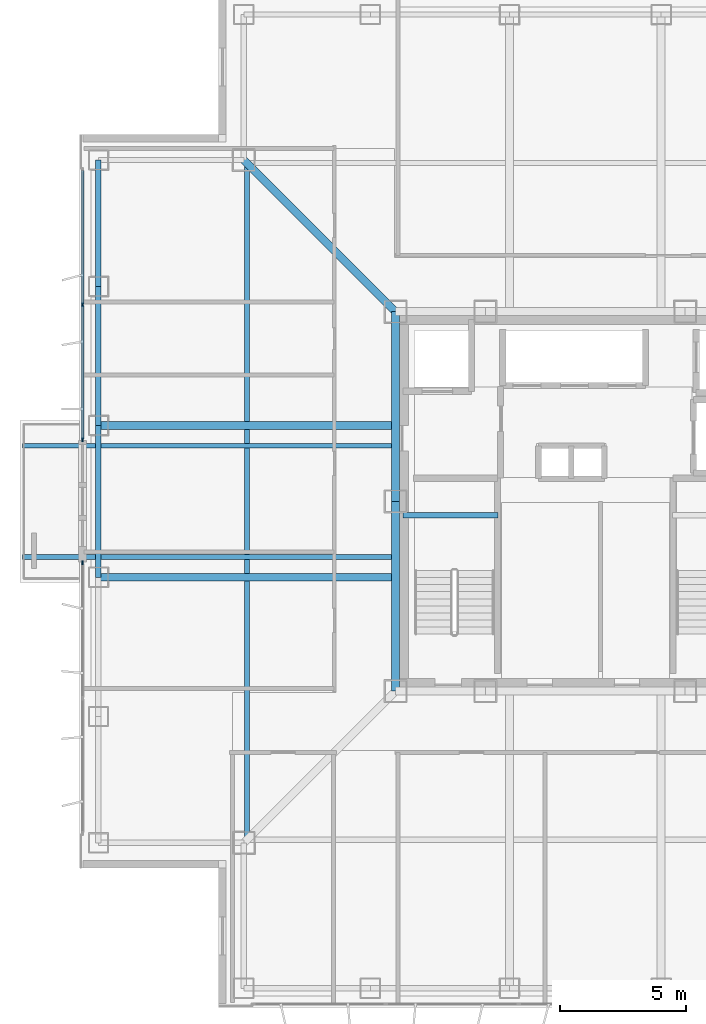
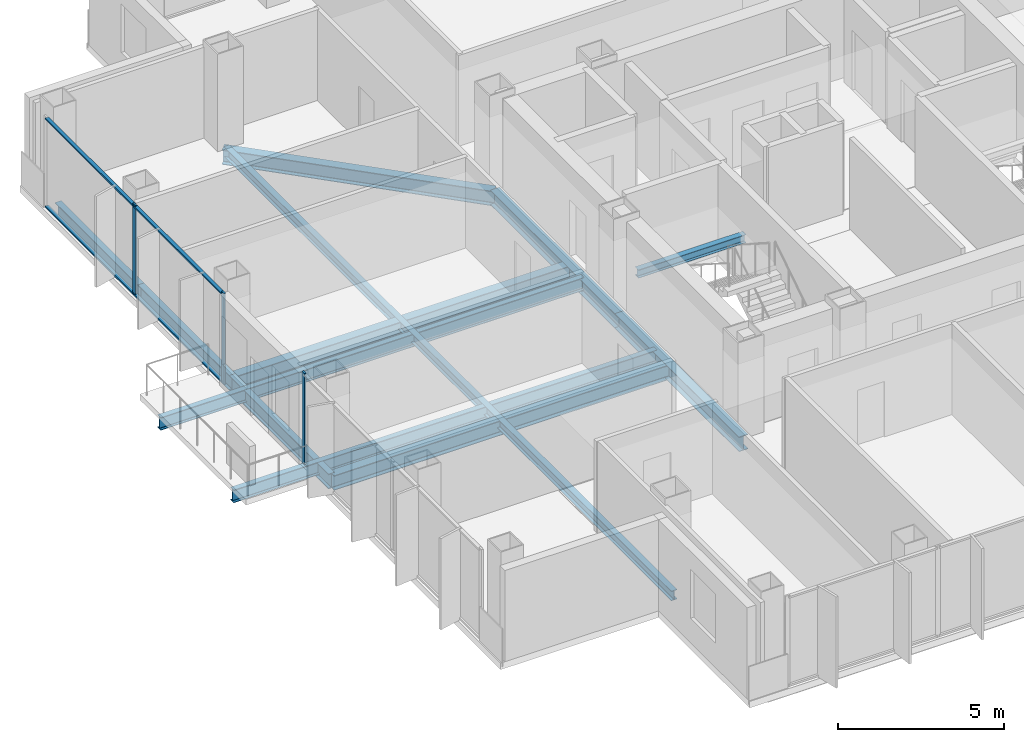
# One storey, part 4 of 15: 12 beams, 7 members, 2 elements without a shape of their own.
"""IFC4 building model written with IfcOpenShell, lengths in metres."""

from ifc_helpers import new_model, si_unit, direction, frame, origin, origin_2d, place, context, subcontext, project, spatial, rectangle, i_section, extrude, material, layer, layer_set, material_profile, profile_set, type_object, element, aggregate, save


model = new_model("IFC4")

# Units and contexts
model_context = context("Model", 3, precision=1e-05, world=origin(), true_north=direction((0.0, 1.0)))
body_context = subcontext(model_context, "Body", "Model", "MODEL_VIEW")
ifc_project = project(units=[si_unit("LENGTHUNIT", "METRE"), si_unit("AREAUNIT", "SQUARE_METRE"), si_unit("VOLUMEUNIT", "CUBIC_METRE"), si_unit("PLANEANGLEUNIT", "RADIAN"), si_unit("MASSUNIT", "GRAM", prefix="KILO")], contexts=[model_context])

# Site, building, storey
site_placement = place(None, origin())
site = spatial("IfcSite", under=ifc_project, at=site_placement, CompositionType="ELEMENT")
building_placement = place(site_placement, origin())
building = spatial("IfcBuilding", under=site, at=building_placement, Name="Trevonay Congress Spire", CompositionType="ELEMENT")
storey_placement = place(building_placement, frame((0.0, 0.0, 216.60009765625)))
storey = spatial("IfcBuildingStorey", under=building, at=storey_placement, Name="L56", CompositionType="ELEMENT", Elevation=216.60009765625)

# Beams
ifc_material_1 = material(Name="Steel ASTM A572 Grade 50", Category="steel")
ifc_material_profile_1 = material_profile(ifc_material_1, i_section(OverallWidth=0.194091796875, OverallDepth=0.468994140625, WebThickness=0.011474609375, FlangeThickness=0.01953125, FilletRadius=0.013916015625, at=origin_2d()), Name="W460x106")
ifc_profile_set_1 = profile_set([ifc_material_profile_1], Name="Steel ASTM A572 Grade 50")
beam_type_1 = type_object("IfcBeamType", Name="BM-BAL-LOOKOUT", PredefinedType="BEAM", material=ifc_profile_set_1)
for number, where, z_axis, x_axis, name in (
    (1, (-7.5, -2.199951171875, -0.474609375), (-1.0, 0.0, 0.0), (0.0, -1.0, 0.0), "L56 structural beam LKT-L56-W1"),
    (2, (-7.5, 2.199951171875, -0.474609375), (-1.0, 0.0, 0.0), (0.0, -1.0, 0.0), "L56 structural beam LKT-L56-W2"),
):
    element("IfcBeam", number, at=place(storey_placement, frame(where, z_axis=z_axis, x_axis=x_axis)), inside=storey, type_object=beam_type_1, Name=name, PredefinedType="BEAM", context=body_context, shape_type="SweptSolid", body=[
        extrude(i_section(OverallWidth=0.194091796875, OverallDepth=0.468994140625, WebThickness=0.011474609375, FlangeThickness=0.01953125, FilletRadius=0.013916015625, at=origin_2d()), origin(), (0.0, 0.0, 1.0), 14.75),
    ])
ifc_material_profile_2 = material_profile(ifc_material_1, i_section(OverallWidth=0.31201171875, OverallDepth=0.54296875, WebThickness=0.0126953125, FlangeThickness=0.020263671875, FilletRadius=0.014892578125, at=origin_2d()), Name="W530x150")
ifc_profile_set_2 = profile_set([ifc_material_profile_2], Name="Steel ASTM A572 Grade 50")
beam_type_2 = type_object("IfcBeamType", Name="BM-GIRD-W530X150", PredefinedType="BEAM", material=ifc_profile_set_2)
for number, where, z_axis, x_axis, name in (
    (3, (-7.5, -7.5, -0.51171875), (0.0, 1.0, 0.0), (-1.0, 0.0, 0.0), "L56 structural beam BM-L56-CR-W1"),
    (4, (-7.5, 0.0, -0.51171875), (0.0, 1.0, 0.0), (-1.0, 0.0, 0.0), "L56 structural beam BM-L56-CR-W2"),
):
    element("IfcBeam", number, at=place(storey_placement, frame(where, z_axis=z_axis, x_axis=x_axis)), inside=storey, type_object=beam_type_2, Name=name, PredefinedType="BEAM", context=body_context, shape_type="SweptSolid", body=[
        extrude(i_section(OverallWidth=0.31201171875, OverallDepth=0.54296875, WebThickness=0.0126953125, FlangeThickness=0.020263671875, FilletRadius=0.014892578125, at=origin_2d()), origin(), (0.0, 0.0, 1.0), 7.5),
    ])
beam_1_placement = place(storey_placement, frame((-7.5, 7.5, -0.51171875), z_axis=(-0.707106781187, 0.707106781187, 0.0), x_axis=(-0.707106781187, -0.707106781187, 0.0)))
element("IfcBeam", 5, at=beam_1_placement, inside=storey, type_object=beam_type_2, Name="L56 structural beam BM-L56-CDNW", PredefinedType="BEAM", context=body_context, shape_type="SweptSolid", body=[
    extrude(i_section(OverallWidth=0.31201171875, OverallDepth=0.54296875, WebThickness=0.0126953125, FlangeThickness=0.020263671875, FilletRadius=0.014892578125, at=origin_2d()), origin(), (0.0, 0.0, 1.0), 8.4853515625),
])
for number, where, z_axis, x_axis, name in (
    (6, (-7.5, -3.0, -0.51171875), (-1.0, 0.0, 0.0), (0.0, -1.0, 0.0), "L56 structural beam BM-L56-GW-M"),
    (7, (-7.5, 3.0, -0.51171875), (-1.0, 0.0, 0.0), (0.0, -1.0, 0.0), "L56 structural beam BM-L56-GW-P"),
):
    element("IfcBeam", number, at=place(storey_placement, frame(where, z_axis=z_axis, x_axis=x_axis)), inside=storey, type_object=beam_type_2, Name=name, PredefinedType="BEAM", context=body_context, shape_type="SweptSolid", body=[
        extrude(i_section(OverallWidth=0.31201171875, OverallDepth=0.54296875, WebThickness=0.0126953125, FlangeThickness=0.020263671875, FilletRadius=0.014892578125, at=origin_2d()), origin(), (0.0, 0.0, 1.0), 11.75),
    ])
ifc_material_profile_3 = material_profile(ifc_material_1, i_section(OverallWidth=0.2119140625, OverallDepth=0.5439453125, WebThickness=0.01318359375, FlangeThickness=0.021240234375, FilletRadius=0.014892578125, at=origin_2d()), Name="W530x123")
ifc_profile_set_3 = profile_set([ifc_material_profile_3], Name="Steel ASTM A572 Grade 50")
beam_type_3 = type_object("IfcBeamType", Name="BM-RING-W530X123", PredefinedType="BEAM", material=ifc_profile_set_3)
beam_2_placement = place(storey_placement, frame((-19.25, -3.0, -0.51220703125), z_axis=(0.0, 1.0, 0.0), x_axis=(-1.0, 0.0, 0.0)))
element("IfcBeam", 8, at=beam_2_placement, inside=storey, type_object=beam_type_3, Name="L56 structural beam BM-L56-PW3", PredefinedType="BEAM", context=body_context, shape_type="SweptSolid", body=[
    extrude(i_section(OverallWidth=0.2119140625, OverallDepth=0.5439453125, WebThickness=0.01318359375, FlangeThickness=0.021240234375, FilletRadius=0.014892578125, at=origin_2d()), origin(), (0.0, 0.0, 1.0), 6.0),
])
beam_3_placement = place(storey_placement, frame((-19.25, 3.0, -0.51220703125), z_axis=(0.0, 1.0, 0.0), x_axis=(-1.0, 0.0, 0.0)))
element("IfcBeam", 9, at=beam_3_placement, inside=storey, type_object=beam_type_3, Name="L56 structural beam BM-L56-PW4", PredefinedType="BEAM", context=body_context, shape_type="SweptSolid", body=[
    extrude(i_section(OverallWidth=0.2119140625, OverallDepth=0.5439453125, WebThickness=0.01318359375, FlangeThickness=0.021240234375, FilletRadius=0.014892578125, at=origin_2d()), origin(), (0.0, 0.0, 1.0), 5.5),
])
beam_4_placement = place(storey_placement, frame((-19.25, 8.5, -0.51220703125), z_axis=(0.0, 1.0, 0.0), x_axis=(-1.0, 0.0, 0.0)))
element("IfcBeam", 10, at=beam_4_placement, inside=storey, type_object=beam_type_3, Name="L56 structural beam BM-L56-PW5", PredefinedType="BEAM", context=body_context, shape_type="SweptSolid", body=[
    extrude(i_section(OverallWidth=0.2119140625, OverallDepth=0.5439453125, WebThickness=0.01318359375, FlangeThickness=0.021240234375, FilletRadius=0.014892578125, at=origin_2d()), origin(), (0.0, 0.0, 1.0), 5.0),
])

# Curtain wall, member
ifc_material_2 = material(Name="Pale Anodised Aluminium EN AW-6063-T6", Category="aluminium")
ifc_layer = layer(ifc_material_2, 0.169921875, Name="Pale Anodised Aluminium EN AW-6063-T6")
ifc_layer_set = layer_set([ifc_layer], Name="Pale Anodised Aluminium EN AW-6063-T6")
curtain_wall_type = type_object("IfcCurtainWallType", Name="CW-SYS04-CORP-PALE-METAL", PredefinedType="NOTDEFINED", material=ifc_layer_set)
curtain_wall_1_placement = place(storey_placement, origin())
curtain_wall_1 = element("IfcCurtainWall", 11, at=curtain_wall_1_placement, inside=storey, type_object=curtain_wall_type, Name="L56 WA unitised curtain wall", PredefinedType="NOTDEFINED")
ifc_material_profile_4 = material_profile(ifc_material_2, rectangle(XDim=0.06005859375, YDim=0.159912109375, at=origin_2d()), Name="CW-MULLION-160-ALUMINIUM")
ifc_profile_set_4 = profile_set([ifc_material_profile_4], Name="Pale Anodised Aluminium EN AW-6063-T6")
member_type_1 = type_object("IfcMemberType", Name="CW-MULLION-160-ALUMINIUM", PredefinedType="MULLION", material=ifc_profile_set_4)
member_1_placement = place(storey_placement, frame((-19.8798828125, -2.429931640625, 0.0), z_axis=(0.0, 0.0, 1.0), x_axis=(-1.0, 0.0, 0.0)))
member_1 = element("IfcMember", 12, at=member_1_placement, type_object=member_type_1, Name="CW04 mullion 3", PredefinedType="MULLION", context=body_context, shape_type="SweptSolid", body=[
    extrude(rectangle(XDim=0.06005859375, YDim=0.159912109375, at=origin_2d()), origin(), (0.0, 0.0, 1.0), 3.35986328125),
])
aggregate(curtain_wall_1, [member_1])

# Curtain wall, members
curtain_wall_2_placement = place(storey_placement, origin())
curtain_wall_2 = element("IfcCurtainWall", 13, at=curtain_wall_2_placement, inside=storey, type_object=curtain_wall_type, Name="L56 WB unitised curtain wall", PredefinedType="NOTDEFINED")
member_2_placement = place(storey_placement, frame((-19.8798828125, 2.429931640625, 0.0), z_axis=(0.0, 0.0, 1.0), x_axis=(-1.0, 0.0, 0.0)))
member_2 = element("IfcMember", 14, at=member_2_placement, type_object=member_type_1, Name="CW04 mullion 1", PredefinedType="MULLION", context=body_context, shape_type="SweptSolid", body=[
    extrude(rectangle(XDim=0.06005859375, YDim=0.159912109375, at=origin_2d()), origin(), (0.0, 0.0, 1.0), 3.35986328125),
])
member_3_placement = place(storey_placement, frame((-19.8798828125, 7.77490234375, 0.0), z_axis=(0.0, 0.0, 1.0), x_axis=(-1.0, 0.0, 0.0)))
member_3 = element("IfcMember", 15, at=member_3_placement, type_object=member_type_1, Name="CW04 mullion 2", PredefinedType="MULLION", context=body_context, shape_type="SweptSolid", body=[
    extrude(rectangle(XDim=0.06005859375, YDim=0.159912109375, at=origin_2d()), origin(), (0.0, 0.0, 1.0), 3.35986328125),
])
ifc_material_profile_5 = material_profile(ifc_material_2, rectangle(XDim=0.1201171875, YDim=0.06005859375, at=origin_2d()), Name="CW-TRANSOM-120-ALUMINIUM")
ifc_profile_set_5 = profile_set([ifc_material_profile_5], Name="Pale Anodised Aluminium EN AW-6063-T6")
member_type_2 = type_object("IfcMemberType", Name="CW-TRANSOM-120-ALUMINIUM", PredefinedType="USERDEFINED", material=ifc_profile_set_5)
member_4_placement = place(storey_placement, frame((-19.8798828125, 2.4599609375, 0.059814453125), z_axis=(0.0, 1.0, 0.0), x_axis=(-1.0, 0.0, 0.0)))
member_4 = element("IfcMember", 16, at=member_4_placement, type_object=member_type_2, Name="CW04 transom 1.1", ObjectType="TRANSOM", PredefinedType="USERDEFINED", context=body_context, shape_type="SweptSolid", body=[
    extrude(rectangle(XDim=0.1201171875, YDim=0.06005859375, at=origin_2d()), origin(), (0.0, 0.0, 1.0), 5.28515625),
])
member_5_placement = place(storey_placement, frame((-19.8798828125, 2.4599609375, 3.2998046875), z_axis=(0.0, 1.0, 0.0), x_axis=(-1.0, 0.0, 0.0)))
member_5 = element("IfcMember", 17, at=member_5_placement, type_object=member_type_2, Name="CW04 transom 1.2", ObjectType="TRANSOM", PredefinedType="USERDEFINED", context=body_context, shape_type="SweptSolid", body=[
    extrude(rectangle(XDim=0.1201171875, YDim=0.06005859375, at=origin_2d()), origin(), (0.0, 0.0, 1.0), 5.28515625),
])
member_6_placement = place(storey_placement, frame((-19.8798828125, 7.804931640625, 0.059814453125), z_axis=(0.0, 1.0, 0.0), x_axis=(-1.0, 0.0, 0.0)))
member_6 = element("IfcMember", 18, at=member_6_placement, type_object=member_type_2, Name="CW04 transom 2.1", ObjectType="TRANSOM", PredefinedType="USERDEFINED", context=body_context, shape_type="SweptSolid", body=[
    extrude(rectangle(XDim=0.1201171875, YDim=0.06005859375, at=origin_2d()), origin(), (0.0, 0.0, 1.0), 5.28515625),
])
member_7_placement = place(storey_placement, frame((-19.8798828125, 7.804931640625, 3.2998046875), z_axis=(0.0, 1.0, 0.0), x_axis=(-1.0, 0.0, 0.0)))
member_7 = element("IfcMember", 19, at=member_7_placement, type_object=member_type_2, Name="CW04 transom 2.2", ObjectType="TRANSOM", PredefinedType="USERDEFINED", context=body_context, shape_type="SweptSolid", body=[
    extrude(rectangle(XDim=0.1201171875, YDim=0.06005859375, at=origin_2d()), origin(), (0.0, 0.0, 1.0), 5.28515625),
])
aggregate(curtain_wall_2, [member_2, member_3, member_4, member_5, member_6, member_7])

# Beams
ifc_material_profile_6 = material_profile(ifc_material_1, i_section(OverallWidth=0.205078125, OverallDepth=0.35400390625, WebThickness=0.009521484375, FlangeThickness=0.016845703125, FilletRadius=0.011962890625, at=origin_2d()), Name="W360x79")
ifc_profile_set_6 = profile_set([ifc_material_profile_6], Name="Steel ASTM A572 Grade 50")
beam_type_4 = type_object("IfcBeamType", Name="JS-COMP-W360X79", PredefinedType="JOIST", material=ifc_profile_set_6)
beam_5_placement = place(storey_placement, frame((-13.375, -13.5, -0.4169921875), z_axis=(0.0, 1.0, 0.0), x_axis=(-1.0, 0.0, 0.0)))
element("IfcBeam", 20, at=beam_5_placement, inside=storey, type_object=beam_type_4, Name="L56 structural beam JS-L56-RING-W", PredefinedType="JOIST", context=body_context, shape_type="SweptSolid", body=[
    extrude(i_section(OverallWidth=0.205078125, OverallDepth=0.35400390625, WebThickness=0.009521484375, FlangeThickness=0.016845703125, FilletRadius=0.011962890625, at=origin_2d()), origin(), (0.0, 0.0, 1.0), 27.0),
])
ifc_material_profile_7 = material_profile(ifc_material_1, i_section(OverallWidth=0.2041015625, OverallDepth=0.305908203125, WebThickness=0.008544921875, FlangeThickness=0.0146484375, FilletRadius=0.010986328125, at=origin_2d()), Name="W310x67")
ifc_profile_set_7 = profile_set([ifc_material_profile_7], Name="Steel ASTM A572 Grade 50")
beam_type_5 = type_object("IfcBeamType", Name="LN-CORE-W310X67", PredefinedType="LINTEL", material=ifc_profile_set_7)
beam_6_placement = place(storey_placement, frame((-7.199951171875, -0.550048828125, 1.447021484375), z_axis=(1.0, 0.0, 0.0), x_axis=(0.0, 1.0, 0.0)))
element("IfcBeam", 21, at=beam_6_placement, inside=storey, type_object=beam_type_5, Name="L56 structural beam BM-L56-HL-ST1", PredefinedType="LINTEL", context=body_context, shape_type="SweptSolid", body=[
    extrude(i_section(OverallWidth=0.2041015625, OverallDepth=0.305908203125, WebThickness=0.008544921875, FlangeThickness=0.0146484375, FilletRadius=0.010986328125, at=origin_2d()), origin(), (0.0, 0.0, 1.0), 3.75),
])

save(model, "model.ifc")
